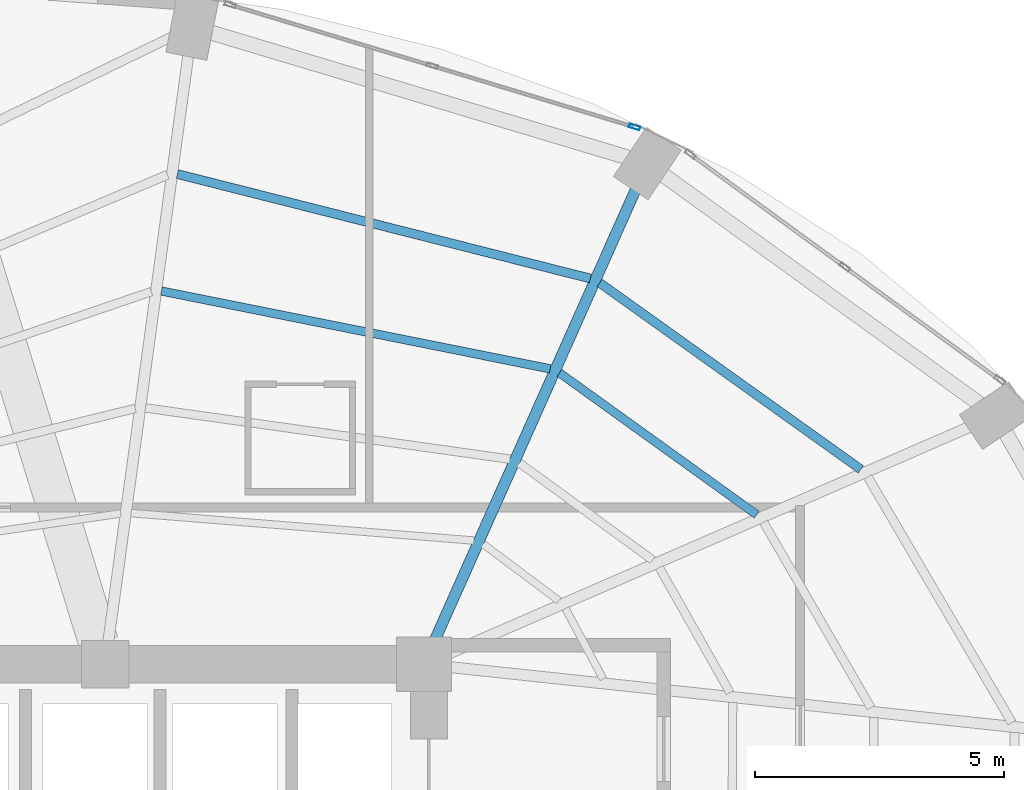
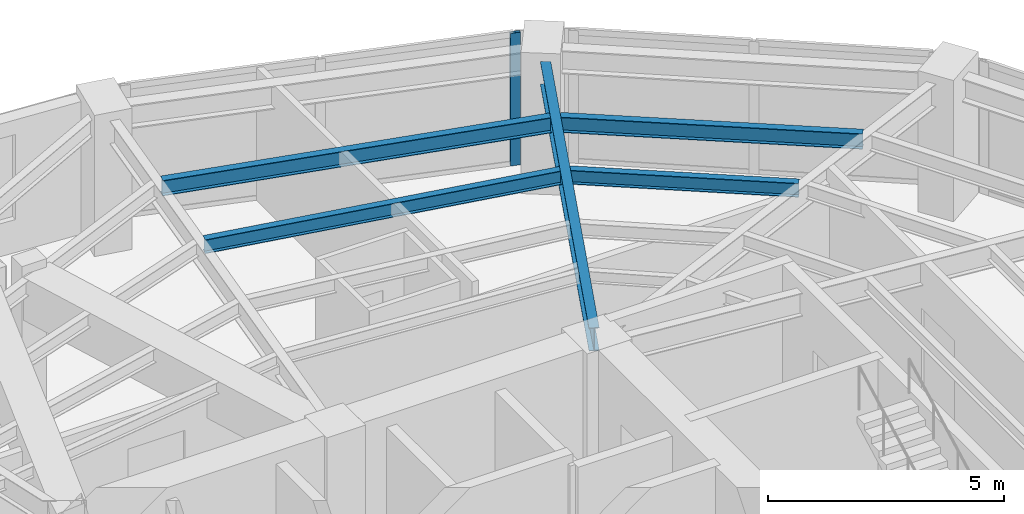
# One storey, part 17 of 24: 5 beams, 1 member, 1 element without a shape of its own.
"""IFC4 building model written with IfcOpenShell, lengths in metres."""

from ifc_helpers import new_model, si_unit, direction, frame, origin, origin_2d, place, context, subcontext, project, spatial, hollow_rectangle, i_section, extrude, material, layer, layer_set, material_profile, profile_set, type_object, element, aggregate, save


model = new_model("IFC4")

# Units and contexts
model_context = context("Model", 3, precision=1e-05, world=origin(), true_north=direction((0.0, 1.0)))
body_context = subcontext(model_context, "Body", "Model", "MODEL_VIEW")
ifc_project = project(units=[si_unit("LENGTHUNIT", "METRE"), si_unit("AREAUNIT", "SQUARE_METRE"), si_unit("VOLUMEUNIT", "CUBIC_METRE"), si_unit("PLANEANGLEUNIT", "RADIAN"), si_unit("MASSUNIT", "GRAM", prefix="KILO")], contexts=[model_context])

# Site, building, storey
site_placement = place(None, origin())
site = spatial("IfcSite", under=ifc_project, at=site_placement, CompositionType="ELEMENT")
building_placement = place(site_placement, origin())
building = spatial("IfcBuilding", under=site, at=building_placement, Name="Lazwardi Medical Tower", CompositionType="ELEMENT")
storey_placement = place(building_placement, frame((0.0, 0.0, 114.575927734375)))
storey = spatial("IfcBuildingStorey", under=building, at=storey_placement, Name="L29", CompositionType="ELEMENT", Elevation=114.575927734375)

# Beams
ifc_material_1 = material(Name="Steel S355", Category="steel")
ifc_material_profile_1 = material_profile(ifc_material_1, i_section(OverallWidth=0.219970703125, OverallDepth=0.60009765625, WebThickness=0.011962890625, FlangeThickness=0.01904296875, at=origin_2d()), Name="IPE 600")
ifc_profile_set_1 = profile_set([ifc_material_profile_1], Name="Steel S355")
beam_type_1 = type_object("IfcBeamType", Name="BM-RG-W1", PredefinedType="BEAM", material=ifc_profile_set_1)
beam_1_placement = place(storey_placement, frame((49.847412109375, 45.127685546875, 3.128173828125), z_axis=(-0.407165924957, -0.913354208155, 0.0), x_axis=(0.913354208155, -0.407165924957, 0.0)))
element("IfcBeam", 1, at=beam_1_placement, inside=storey, type_object=beam_type_1, Name="Radial girder RG-02 R07 L29", PredefinedType="BEAM", context=body_context, shape_type="SweptSolid", body=[
    extrude(i_section(OverallWidth=0.219970703125, OverallDepth=0.60009765625, WebThickness=0.011962890625, FlangeThickness=0.01904296875, at=origin_2d()), origin(), (0.0, 0.0, 1.0), 9.896484375),
])
ifc_material_profile_2 = material_profile(ifc_material_1, i_section(OverallWidth=0.179931640625, OverallDepth=0.39990234375, WebThickness=0.008544921875, FlangeThickness=0.013427734375, at=origin_2d()), Name="IPE 400")
ifc_profile_set_2 = profile_set([ifc_material_profile_2], Name="Steel S355")
beam_type_2 = type_object("IfcBeamType", Name="BM-SJ-01", PredefinedType="JOIST", material=ifc_profile_set_2)
beam_2_placement = place(storey_placement, frame((54.369384765625, 39.514404296875, 3.22802734375), z_axis=(-0.813748834317, 0.581216684763, 0.0), x_axis=(-0.581216684763, -0.813748834317, 0.0)))
element("IfcBeam", 2, at=beam_2_placement, inside=storey, type_object=beam_type_2, Name="Secondary joist SJ-01 R1 B06 L29", PredefinedType="JOIST", context=body_context, shape_type="SweptSolid", body=[
    extrude(i_section(OverallWidth=0.179931640625, OverallDepth=0.39990234375, WebThickness=0.008544921875, FlangeThickness=0.013427734375, at=origin_2d()), origin(), (0.0, 0.0, 1.0), 6.4423828125),
])
beam_3_placement = place(storey_placement, frame((48.939697265625, 43.345703125, 3.22802734375), z_axis=(-0.96945186753, 0.245281626997, 0.0), x_axis=(-0.245281626997, -0.96945186753, 0.0)))
element("IfcBeam", 3, at=beam_3_placement, inside=storey, type_object=beam_type_2, Name="Secondary joist SJ-01 R1 B07 L29", PredefinedType="JOIST", context=body_context, shape_type="SweptSolid", body=[
    extrude(i_section(OverallWidth=0.179931640625, OverallDepth=0.39990234375, WebThickness=0.008544921875, FlangeThickness=0.013427734375, at=origin_2d()), origin(), (0.0, 0.0, 1.0), 8.552978515625),
])
ifc_material_profile_3 = material_profile(ifc_material_1, i_section(OverallWidth=0.169921875, OverallDepth=0.360107421875, WebThickness=0.008056640625, FlangeThickness=0.0126953125, at=origin_2d()), Name="IPE 360")
ifc_profile_set_3 = profile_set([ifc_material_profile_3], Name="Steel S355")
beam_type_3 = type_object("IfcBeamType", Name="BM-SJ-02", PredefinedType="JOIST", material=ifc_profile_set_3)
beam_4_placement = place(storey_placement, frame((52.278564453125, 38.604736328125, 3.248046875), z_axis=(-0.811888517177, 0.583812500446, 0.0), x_axis=(-0.583812500446, -0.811888517177, 0.0)))
element("IfcBeam", 4, at=beam_4_placement, inside=storey, type_object=beam_type_3, Name="Secondary joist SJ-02 R2 B06 L29", PredefinedType="JOIST", context=body_context, shape_type="SweptSolid", body=[
    extrude(i_section(OverallWidth=0.169921875, OverallDepth=0.360107421875, WebThickness=0.008056640625, FlangeThickness=0.0126953125, at=origin_2d()), origin(), (0.0, 0.0, 1.0), 4.874755859375),
])
beam_5_placement = place(storey_placement, frame((48.1328125, 41.53271484375, 3.248046875), z_axis=(-0.980542906584, 0.196304886203, 0.0), x_axis=(-0.196304886203, -0.980542906584, 0.0)))
element("IfcBeam", 5, at=beam_5_placement, inside=storey, type_object=beam_type_3, Name="Secondary joist SJ-02 R2 B07 L29", PredefinedType="JOIST", context=body_context, shape_type="SweptSolid", body=[
    extrude(i_section(OverallWidth=0.169921875, OverallDepth=0.360107421875, WebThickness=0.008056640625, FlangeThickness=0.0126953125, at=origin_2d()), origin(), (0.0, 0.0, 1.0), 7.95947265625),
])

# Curtain wall, member
ifc_material_2 = material(Name="Anodised bronze aluminium and solar control glazing", Category="aluminium")
ifc_layer = layer(ifc_material_2, 0.195068359375)
ifc_layer_set = layer_set([ifc_layer], Name="Anodised bronze aluminium and solar control glazing")
curtain_wall_type = type_object("IfcCurtainWallType", Name="CW-SYS-03", PredefinedType="NOTDEFINED", material=ifc_layer_set)
curtain_wall_placement = place(storey_placement, origin())
curtain_wall = element("IfcCurtainWall", 6, at=curtain_wall_placement, inside=storey, type_object=curtain_wall_type, Name="L29 Unitised bronze curtain wall CW-03", PredefinedType="NOTDEFINED")
ifc_material_3 = material(Name="Anodised bronze aluminium", Category="aluminium")
ifc_material_profile_4 = material_profile(ifc_material_3, hollow_rectangle(XDim=0.074951171875, YDim=0.219970703125, WallThickness=0.00390625, at=origin_2d()), Name="ALU-MULLION 220x75x4")
ifc_profile_set_4 = profile_set([ifc_material_profile_4], Name="Anodised bronze aluminium")
member_type = type_object("IfcMemberType", Name="CW-MUL-01", PredefinedType="MULLION", material=ifc_profile_set_4)
member_placement = place(storey_placement, frame((49.828369140625, 46.385986328125, 0.0), z_axis=(0.0, 0.0, 1.0), x_axis=(-0.28937381157, -0.957216170558, 0.0)))
member = element("IfcMember", 7, at=member_placement, type_object=member_type, Name="CW-03 mullion 1", PredefinedType="MULLION", context=body_context, shape_type="SweptSolid", body=[
    extrude(hollow_rectangle(XDim=0.074951171875, YDim=0.219970703125, WallThickness=0.00390625, at=origin_2d()), origin(), (0.0, 0.0, 1.0), 3.427978515625),
])
aggregate(curtain_wall, [member])

save(model, "model.ifc")
